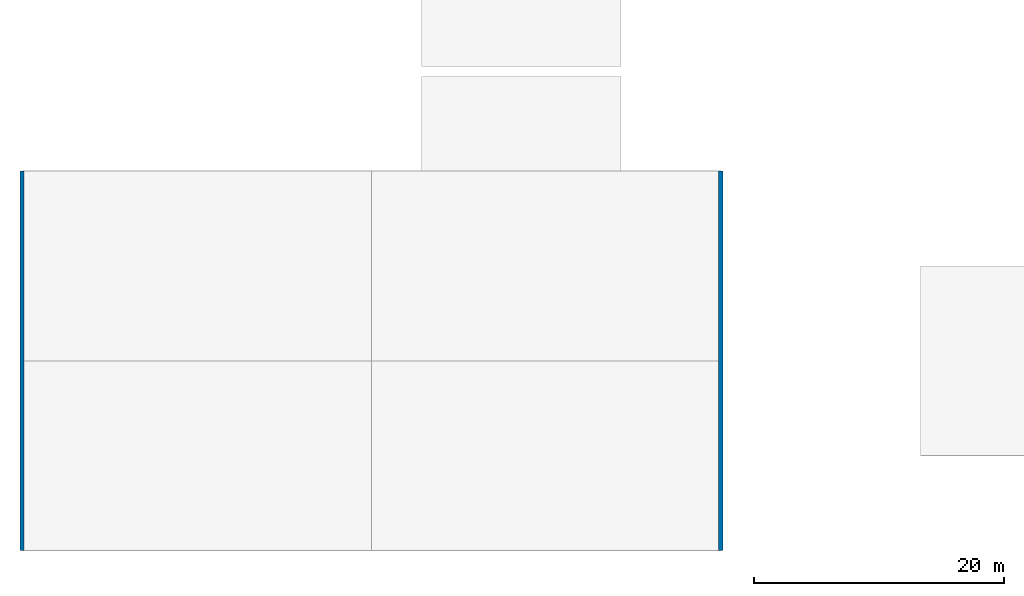
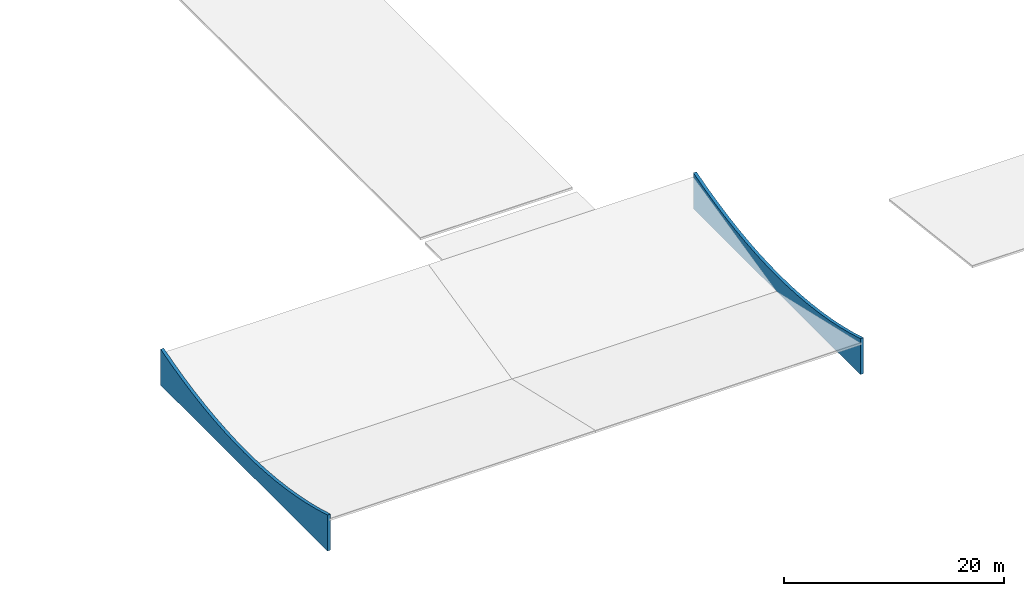
# One storey, part 40 of 53: 2 walls.
"""IFC4 building model written with IfcOpenShell, lengths in metres."""

from ifc_helpers import new_model, si_unit, direction, frame, origin, place, context, subcontext, project, spatial, polyline, outline, extrude, material, layer, layer_set, type_object, element, save


model = new_model("IFC4")

# Units and contexts
model_context = context("Model", 3, precision=1e-05, world=origin(), true_north=direction((0.0, 1.0)))
body_context = subcontext(model_context, "Body", "Model", "MODEL_VIEW")
ifc_project = project(units=[si_unit("LENGTHUNIT", "METRE"), si_unit("AREAUNIT", "SQUARE_METRE"), si_unit("VOLUMEUNIT", "CUBIC_METRE"), si_unit("PLANEANGLEUNIT", "RADIAN"), si_unit("MASSUNIT", "GRAM", prefix="KILO")], contexts=[model_context])

# Site, building, storey
site_placement = place(None, origin())
site = spatial("IfcSite", under=ifc_project, at=site_placement, CompositionType="ELEMENT")
building_placement = place(site_placement, origin())
building = spatial("IfcBuilding", under=site, at=building_placement, Name="Kharva Crest Polytechnic", CompositionType="ELEMENT")
storey_placement = place(building_placement, frame((0.0, 0.0, 17.39990234375)))
storey = spatial("IfcBuildingStorey", under=building, at=storey_placement, Name="L04", CompositionType="ELEMENT", Elevation=17.39990234375)

# Walls
ifc_material = material(Name="Kiln brick masonry", Category="masonry")
ifc_layer = layer(ifc_material, 0.330078125, Name="Kiln brick masonry")
ifc_layer_set = layer_set([ifc_layer], Name="Kiln brick masonry")
wall_type = type_object("IfcWallType", Name="WL-PAR-CREST-330", PredefinedType="PARAPET", material=ifc_layer_set)
for number, where, z_axis, x_axis, name in (
    (1, (0.0, 0.0, 0.0), (0.0, 0.0, 1.0), (0.0, 1.0, 0.0), "L04 Bowed Brick Gable Crest 8"),
    (2, (56.0, 0.0, 0.0), (0.0, 0.0, 1.0), (0.0, 1.0, 0.0), "L04 Bowed Brick Gable Crest 9"),
):
    element("IfcWall", number, at=place(storey_placement, frame(where, z_axis=z_axis, x_axis=x_axis)), inside=storey, type_object=wall_type, Name=name, PredefinedType="PARAPET", context=body_context, shape_type="SweptSolid", body=[
        extrude(outline(polyline([(0.0, 0.0), (30.39990234375, 0.0), (30.39990234375, 4.0), (28.5, 3.45849609375), (26.60009765625, 2.993896484375), (24.699951171875, 2.60400390625), (22.800048828125, 2.287353515625), (20.89990234375, 2.042236328125), (19.0, 1.867919921875), (17.10009765625, 1.763671875), (15.199951171875, 1.72900390625), (13.300048828125, 1.763671875), (11.39990234375, 1.867919921875), (9.5, 2.042236328125), (7.60009765625, 2.287353515625), (5.699951171875, 2.60400390625), (3.800048828125, 2.993896484375), (1.89990234375, 3.45849609375), (0.0, 4.0), (0.0, 0.0)])), frame((0.0, 0.1650390625, 0.0), z_axis=(0.0, -1.0, 0.0), x_axis=(1.0, 0.0, 0.0)), (0.0, 0.0, 1.0), 0.330078125),
    ])

save(model, "model.ifc")
